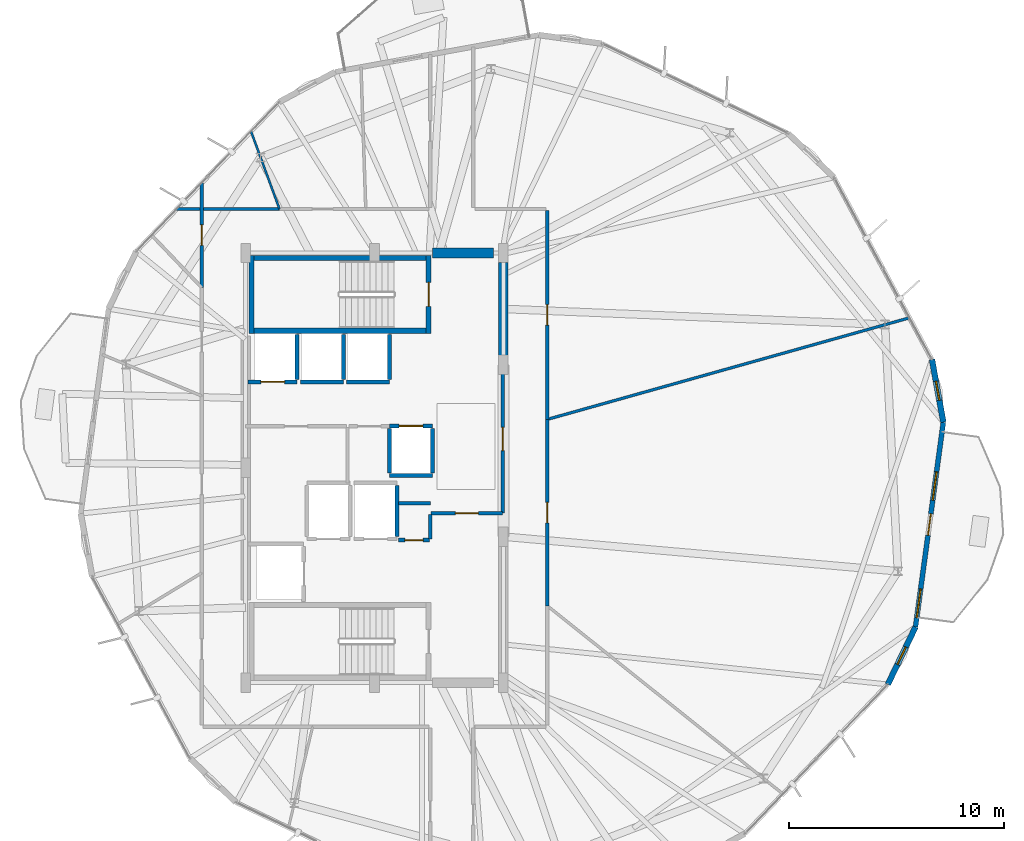
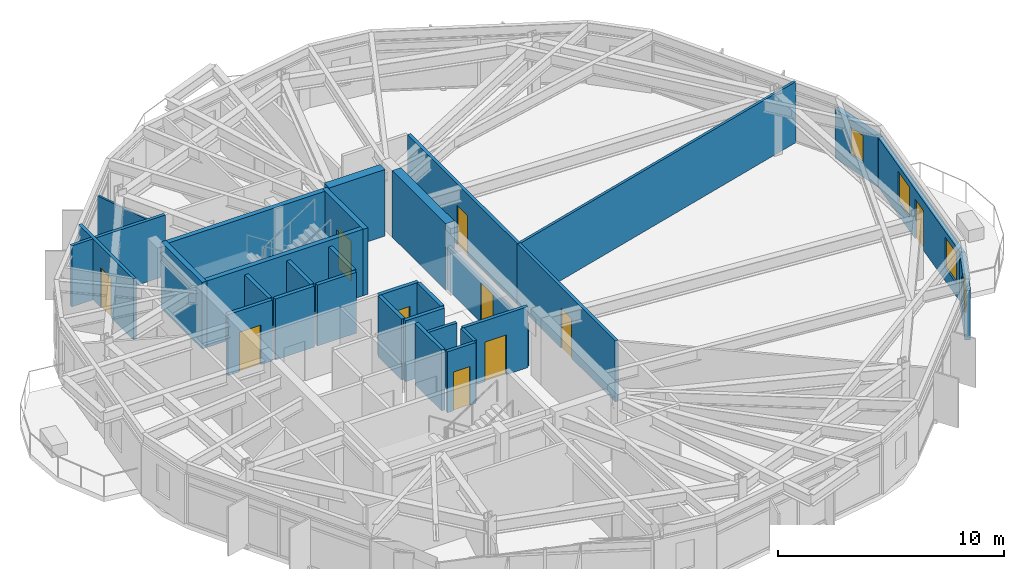
# One storey, part 23 of 27: 31 walls, 10 doors, 4 windows, 14 openings.
"""IFC4 building model written with IfcOpenShell, lengths in metres."""

from ifc_helpers import new_model, si_unit, direction, frame, frame_2d, origin, place, context, subcontext, project, spatial, rectangle, extrude, material, layer, layer_set, type_object, element, fill, save


model = new_model("IFC4")

# Units and contexts
model_context = context("Model", 3, precision=1e-05, world=origin(), true_north=direction((0.0, 1.0)))
body_context = subcontext(model_context, "Body", "Model", "MODEL_VIEW")
ifc_project = project(units=[si_unit("LENGTHUNIT", "METRE"), si_unit("AREAUNIT", "SQUARE_METRE"), si_unit("VOLUMEUNIT", "CUBIC_METRE"), si_unit("PLANEANGLEUNIT", "RADIAN"), si_unit("MASSUNIT", "GRAM", prefix="KILO")], contexts=[model_context])

# Site, building, storey
site_placement = place(None, origin())
site = spatial("IfcSite", under=ifc_project, at=site_placement, CompositionType="ELEMENT")
building_placement = place(site_placement, origin())
building = spatial("IfcBuilding", under=site, at=building_placement, Name="Soratama Intermodal Tower", CompositionType="ELEMENT")
storey_placement = place(building_placement, frame((0.0, 0.0, 208.60009765625)))
storey = spatial("IfcBuildingStorey", under=building, at=storey_placement, Name="L52", CompositionType="ELEMENT", Elevation=208.60009765625)

# Wall, openings, door, windows
ifc_material_1 = material(Name="Concrete f'c 42 MPa", Category="concrete")
ifc_layer_1 = layer(ifc_material_1, 0.22998046875)
ifc_layer_set_1 = layer_set([ifc_layer_1], Name="Concrete f'c 42 MPa")
wall_type_1 = type_object("IfcWallType", Name="EW-BAL-230", PredefinedType="SOLIDWALL", material=ifc_layer_set_1)
wall_1_placement = place(storey_placement, frame((63.783203125, 17.5908203125, 0.0), z_axis=(0.0, 0.0, 1.0), x_axis=(0.134677360418, 0.990889503724, 0.0)))
wall_1 = element("IfcWall", 1, at=wall_1_placement, inside=storey, type_object=wall_type_1, Name="L52 Terrace Wall F09", PredefinedType="SOLIDWALL", context=body_context, shape_type="SweptSolid", body=[
    extrude(rectangle(XDim=9.6240234375, YDim=0.22998046875, at=frame_2d((4.81201171875, 0.0))), origin(), (0.0, 0.0, 1.0), 2.678955078125),
])
opening_1_placement = place(wall_1_placement, frame((4.31201171875, 0.0, 0.0)))
opening_1 = element("IfcOpeningElement", 2, at=opening_1_placement, cuts=wall_1, Name="Opening ED-2", PredefinedType="OPENING", context=body_context, shape_type="SweptSolid", body=[
    extrude(rectangle(XDim=1.0, YDim=2.14990234375, at=frame_2d((0.5, 1.074951171875))), frame((0.0, 0.125, 0.0), z_axis=(0.0, -1.0, 0.0), x_axis=(1.0, 0.0, 0.0)), (0.0, 0.0, 1.0), 0.25),
])
opening_2_placement = place(wall_1_placement, frame((0.43994140625, 0.0, 0.719970703125)))
opening_2 = element("IfcOpeningElement", 3, at=opening_2_placement, cuts=wall_1, Name="Opening WN-4", PredefinedType="OPENING", context=body_context, shape_type="SweptSolid", body=[
    extrude(rectangle(XDim=1.35009765625, YDim=1.64990234375, at=frame_2d((0.675048828125, 0.824951171875))), frame((0.0, 0.125, 0.0), z_axis=(0.0, -1.0, 0.0), x_axis=(1.0, 0.0, 0.0)), (0.0, 0.0, 1.0), 0.25),
])
opening_3_placement = place(wall_1_placement, frame((5.951904296875, 0.0, 0.719970703125)))
opening_3 = element("IfcOpeningElement", 4, at=opening_3_placement, cuts=wall_1, Name="Opening WN-4", PredefinedType="OPENING", context=body_context, shape_type="SweptSolid", body=[
    extrude(rectangle(XDim=1.35009765625, YDim=1.64990234375, at=frame_2d((0.675048828125, 0.824951171875))), frame((0.0, 0.125, 0.0), z_axis=(0.0, -1.0, 0.0), x_axis=(1.0, 0.0, 0.0)), (0.0, 0.0, 1.0), 0.25),
])
ifc_material_2 = material(Name="Double-glazed aluminium door", Category="aluminium")
door_type_1 = type_object("IfcDoorType", Name="DR-BAL-1000", OperationType="NOTDEFINED", PredefinedType="DOOR", material=ifc_material_2)
door_1_placement = place(opening_1_placement, origin())
door_1 = element("IfcDoor", 5, at=door_1_placement, inside=storey, type_object=door_type_1, Name="L52 Balcony Door F09", OperationType="SINGLE_SWING_LEFT", OverallHeight=2.14990234375, OverallWidth=1.0, PredefinedType="DOOR", context=body_context, shape_type="SweptSolid", body=[
    extrude(rectangle(XDim=1.0, YDim=2.14990234375, at=frame_2d((0.5, 1.074951171875))), frame((0.0, 0.02490234375, 0.0), z_axis=(0.0, -1.0, 0.0), x_axis=(1.0, 0.0, 0.0)), (0.0, 0.0, 1.0), 0.050048828125),
])
fill(opening_1, door_1)
ifc_material_3 = material(Name="Double-glazed aluminium window", Category="aluminium")
window_type_1 = type_object("IfcWindowType", Name="WN-FAC-1350", PartitioningType="SINGLE_PANEL", PredefinedType="WINDOW", material=ifc_material_3)
window_1_placement = place(opening_2_placement, origin())
window_1 = element("IfcWindow", 6, at=window_1_placement, inside=storey, type_object=window_type_1, Name="L52 Window A F09", OverallHeight=1.64990234375, OverallWidth=1.35009765625, PartitioningType="SINGLE_PANEL", PredefinedType="WINDOW", context=body_context, shape_type="SweptSolid", body=[
    extrude(rectangle(XDim=1.35009765625, YDim=1.64990234375, at=frame_2d((0.675048828125, 0.824951171875))), frame((0.0, 0.030029296875, 0.0), z_axis=(0.0, -1.0, 0.0), x_axis=(1.0, 0.0, 0.0)), (0.0, 0.0, 1.0), 0.06005859375),
])
fill(opening_2, window_1)
window_2_placement = place(opening_3_placement, origin())
window_2 = element("IfcWindow", 7, at=window_2_placement, inside=storey, type_object=window_type_1, Name="L52 Window B F09", OverallHeight=1.64990234375, OverallWidth=1.35009765625, PartitioningType="SINGLE_PANEL", PredefinedType="WINDOW", context=body_context, shape_type="SweptSolid", body=[
    extrude(rectangle(XDim=1.35009765625, YDim=1.64990234375, at=frame_2d((0.675048828125, 0.824951171875))), frame((0.0, 0.030029296875, 0.0), z_axis=(0.0, -1.0, 0.0), x_axis=(1.0, 0.0, 0.0)), (0.0, 0.0, 1.0), 0.06005859375),
])
fill(opening_3, window_2)

# Wall, opening, window
ifc_material_4 = material(Name="Concrete f'c 42 MPa", Category="concrete")
ifc_layer_2 = layer(ifc_material_4, 0.27001953125)
ifc_layer_set_2 = layer_set([ifc_layer_2], Name="Concrete f'c 42 MPa")
wall_type_2 = type_object("IfcWallType", Name="EW-CRN-270", PredefinedType="SOLIDWALL", material=ifc_layer_set_2)
wall_2_placement = place(storey_placement, frame((62.494873046875, 14.918701171875, 0.0), z_axis=(0.0, 0.0, 1.0), x_axis=(0.434295608334, 0.900770406142, 0.0)))
wall_2 = element("IfcWall", 8, at=wall_2_placement, inside=storey, type_object=wall_type_2, Name="L52 Corner Closure Wall 08", PredefinedType="SOLIDWALL", context=body_context, shape_type="SweptSolid", body=[
    extrude(rectangle(XDim=2.966552734375, YDim=0.27001953125, at=frame_2d((1.4833984375, 0.0))), origin(), (0.0, 0.0, 1.0), 2.678955078125),
])
opening_4_placement = place(wall_2_placement, frame((1.033203125, 0.0, 0.75)))
opening_4 = element("IfcOpeningElement", 9, at=opening_4_placement, cuts=wall_2, Name="Opening WN-6", PredefinedType="OPENING", context=body_context, shape_type="SweptSolid", body=[
    extrude(rectangle(XDim=0.89990234375, YDim=1.5, at=frame_2d((0.449951171875, 0.75))), frame((0.0, 0.14501953125, 0.0), z_axis=(0.0, -1.0, 0.0), x_axis=(1.0, 0.0, 0.0)), (0.0, 0.0, 1.0), 0.2900390625),
])
ifc_material_5 = material(Name="Double-glazed aluminium window", Category="aluminium")
window_type_2 = type_object("IfcWindowType", Name="WN-FAC-900", PartitioningType="SINGLE_PANEL", PredefinedType="WINDOW", material=ifc_material_5)
window_3_placement = place(opening_4_placement, origin())
window_3 = element("IfcWindow", 10, at=window_3_placement, inside=storey, type_object=window_type_2, Name="L52 Corner Window 08", OverallHeight=1.5, OverallWidth=0.89990234375, PartitioningType="SINGLE_PANEL", PredefinedType="WINDOW", context=body_context, shape_type="SweptSolid", body=[
    extrude(rectangle(XDim=0.89990234375, YDim=1.5, at=frame_2d((0.449951171875, 0.75))), frame((0.0, 0.030029296875, 0.0), z_axis=(0.0, -1.0, 0.0), x_axis=(1.0, 0.0, 0.0)), (0.0, 0.0, 1.0), 0.06005859375),
])
fill(opening_4, window_3)

wall_3_placement = place(storey_placement, frame((65.079345703125, 27.127197265625, 0.0), z_axis=(0.0, 0.0, 1.0), x_axis=(-0.178088753346, 0.984014428721, 0.0)))
wall_3 = element("IfcWall", 11, at=wall_3_placement, inside=storey, type_object=wall_type_2, Name="L52 Corner Closure Wall 09", PredefinedType="SOLIDWALL", context=body_context, shape_type="SweptSolid", body=[
    extrude(rectangle(XDim=2.966552734375, YDim=0.27001953125, at=frame_2d((1.4833984375, 0.0))), origin(), (0.0, 0.0, 1.0), 2.678955078125),
])
opening_5_placement = place(wall_3_placement, frame((1.033203125, 0.0, 0.75)))
opening_5 = element("IfcOpeningElement", 12, at=opening_5_placement, cuts=wall_3, Name="Opening WN-6", PredefinedType="OPENING", context=body_context, shape_type="SweptSolid", body=[
    extrude(rectangle(XDim=0.89990234375, YDim=1.5, at=frame_2d((0.449951171875, 0.75))), frame((0.0, 0.14501953125, 0.0), z_axis=(0.0, -1.0, 0.0), x_axis=(1.0, 0.0, 0.0)), (0.0, 0.0, 1.0), 0.2900390625),
])
window_4_placement = place(opening_5_placement, origin())
window_4 = element("IfcWindow", 13, at=window_4_placement, inside=storey, type_object=window_type_2, Name="L52 Corner Window 09", OverallHeight=1.5, OverallWidth=0.89990234375, PartitioningType="SINGLE_PANEL", PredefinedType="WINDOW", context=body_context, shape_type="SweptSolid", body=[
    extrude(rectangle(XDim=0.89990234375, YDim=1.5, at=frame_2d((0.449951171875, 0.75))), frame((0.0, 0.030029296875, 0.0), z_axis=(0.0, -1.0, 0.0), x_axis=(1.0, 0.0, 0.0)), (0.0, 0.0, 1.0), 0.06005859375),
])
fill(opening_5, window_4)

# Wall, opening, door
ifc_material_6 = material(Name="Fire-rated gypsum stud partition", Category="concrete")
ifc_layer_3 = layer(ifc_material_6, 0.159912109375)
ifc_layer_set_3 = layer_set([ifc_layer_3], Name="Fire-rated gypsum stud partition")
wall_type_3 = type_object("IfcWallType", Name="IW-PART-R160", PredefinedType="PARTITIONING", material=ifc_layer_set_3)
wall_4_placement = place(storey_placement, frame((46.64990234375, 36.97998046875, 0.0), z_axis=(0.0, 0.0, 1.0), x_axis=(0.0, -1.0, 0.0)))
wall_4 = element("IfcWall", 14, at=wall_4_placement, inside=storey, type_object=wall_type_3, Name="L52 Partition W-L52-TP003", PredefinedType="PARTITIONING", context=body_context, shape_type="SweptSolid", body=[
    extrude(rectangle(XDim=9.721923828125, YDim=0.159912109375, at=frame_2d((4.86083984375, 0.0))), origin(), (0.0, 0.0, 1.0), 3.2998046875),
])
opening_6_placement = place(wall_4_placement, frame((4.385986328125, 0.0, 0.0)))
opening_6 = element("IfcOpeningElement", 15, at=opening_6_placement, cuts=wall_4, Name="Opening ID-3", PredefinedType="OPENING", context=body_context, shape_type="SweptSolid", body=[
    extrude(rectangle(XDim=0.949951171875, YDim=2.14990234375, at=frame_2d((0.47509765625, 1.074951171875))), frame((0.0, 0.08984375, 0.0), z_axis=(0.0, -1.0, 0.0), x_axis=(1.0, 0.0, 0.0)), (0.0, 0.0, 1.0), 0.179931640625),
])
ifc_material_7 = material(Name="Solid hardwood acoustic door", Category="wood")
door_type_2 = type_object("IfcDoorType", Name="DR-ROOM-950", OperationType="NOTDEFINED", PredefinedType="DOOR", material=ifc_material_7)
door_2_placement = place(opening_6_placement, origin())
door_2 = element("IfcDoor", 16, at=door_2_placement, inside=storey, type_object=door_type_2, Name="L52 Door D-L52-TP001", OperationType="SINGLE_SWING_RIGHT", OverallHeight=2.14990234375, OverallWidth=0.949951171875, PredefinedType="DOOR", context=body_context, shape_type="SweptSolid", body=[
    extrude(rectangle(XDim=0.949951171875, YDim=2.14990234375, at=frame_2d((0.47509765625, 1.074951171875))), frame((0.0, 0.02490234375, 0.0), z_axis=(0.0, -1.0, 0.0), x_axis=(1.0, 0.0, 0.0)), (0.0, 0.0, 1.0), 0.050048828125),
])
fill(opening_6, door_2)

wall_5_placement = place(storey_placement, frame((46.64990234375, 27.258056640625, 0.0), z_axis=(0.0, 0.0, 1.0), x_axis=(0.0, -1.0, 0.0)))
wall_5 = element("IfcWall", 17, at=wall_5_placement, inside=storey, type_object=wall_type_3, Name="L52 Partition W-L52-TP004", PredefinedType="PARTITIONING", context=body_context, shape_type="SweptSolid", body=[
    extrude(rectangle(XDim=8.68505859375, YDim=0.159912109375, at=frame_2d((4.342529296875, 0.0))), origin(), (0.0, 0.0, 1.0), 3.2998046875),
])
opening_7_placement = place(wall_5_placement, frame((3.866943359375, 0.0, 0.0)))
opening_7 = element("IfcOpeningElement", 18, at=opening_7_placement, cuts=wall_5, Name="Opening ID-3", PredefinedType="OPENING", context=body_context, shape_type="SweptSolid", body=[
    extrude(rectangle(XDim=0.949951171875, YDim=2.14990234375, at=frame_2d((0.47509765625, 1.074951171875))), frame((0.0, 0.08984375, 0.0), z_axis=(0.0, -1.0, 0.0), x_axis=(1.0, 0.0, 0.0)), (0.0, 0.0, 1.0), 0.179931640625),
])
door_3_placement = place(opening_7_placement, origin())
door_3 = element("IfcDoor", 19, at=door_3_placement, inside=storey, type_object=door_type_2, Name="L52 Door D-L52-TP002", OperationType="SINGLE_SWING_LEFT", OverallHeight=2.14990234375, OverallWidth=0.949951171875, PredefinedType="DOOR", context=body_context, shape_type="SweptSolid", body=[
    extrude(rectangle(XDim=0.949951171875, YDim=2.14990234375, at=frame_2d((0.47509765625, 1.074951171875))), frame((0.0, 0.02490234375, 0.0), z_axis=(0.0, -1.0, 0.0), x_axis=(1.0, 0.0, 0.0)), (0.0, 0.0, 1.0), 0.050048828125),
])
fill(opening_7, door_3)

wall_6_placement = place(storey_placement, frame((44.56005859375, 29.800048828125, 0.0), z_axis=(0.0, 0.0, 1.0), x_axis=(0.0, -1.0, 0.0)))
wall_6 = element("IfcWall", 20, at=wall_6_placement, inside=storey, type_object=wall_type_3, Name="L52 Partition W-L52-TP011", PredefinedType="PARTITIONING", context=body_context, shape_type="SweptSolid", body=[
    extrude(rectangle(XDim=6.91015625, YDim=0.159912109375, at=frame_2d((3.455078125, 0.0))), origin(), (0.0, 0.0, 1.0), 2.33984375),
])
opening_8_placement = place(wall_6_placement, frame((2.9150390625, 0.0, 0.0)))
opening_8 = element("IfcOpeningElement", 21, at=opening_8_placement, cuts=wall_6, Name="Opening ID-1", PredefinedType="OPENING", context=body_context, shape_type="SweptSolid", body=[
    extrude(rectangle(XDim=1.080078125, YDim=2.14990234375, at=frame_2d((0.5400390625, 1.074951171875))), frame((0.0, 0.08984375, 0.0), z_axis=(0.0, -1.0, 0.0), x_axis=(1.0, 0.0, 0.0)), (0.0, 0.0, 1.0), 0.179931640625),
])
ifc_material_8 = material(Name="Solid hardwood acoustic door", Category="wood")
door_type_3 = type_object("IfcDoorType", Name="DR-LOB-FD60", OperationType="NOTDEFINED", PredefinedType="DOOR", material=ifc_material_8)
door_4_placement = place(opening_8_placement, origin())
door_4 = element("IfcDoor", 22, at=door_4_placement, inside=storey, type_object=door_type_3, Name="L52 Door D-L52-TP008", OperationType="SINGLE_SWING_LEFT", OverallHeight=2.14990234375, OverallWidth=1.080078125, PredefinedType="DOOR", context=body_context, shape_type="SweptSolid", body=[
    extrude(rectangle(XDim=1.080078125, YDim=2.14990234375, at=frame_2d((0.5400390625, 1.074951171875))), frame((0.0, 0.02490234375, 0.0), z_axis=(0.0, -1.0, 0.0), x_axis=(1.0, 0.0, 0.0)), (0.0, 0.0, 1.0), 0.050048828125),
])
fill(opening_8, door_4)

wall_7_placement = place(storey_placement, frame((30.550048828125, 33.40087890625, 0.0), z_axis=(0.0, 0.0, 1.0), x_axis=(0.0, 1.0, 0.0)))
wall_7 = element("IfcWall", 23, at=wall_7_placement, inside=storey, type_object=wall_type_3, Name="L52 Partition W-L52-TP018", PredefinedType="PARTITIONING", context=body_context, shape_type="SweptSolid", body=[
    extrude(rectangle(XDim=4.862060546875, YDim=0.159912109375, at=frame_2d((2.43115234375, 0.0))), origin(), (0.0, 0.0, 1.0), 3.2998046875),
])
opening_9_placement = place(wall_7_placement, frame((1.9560546875, 0.0, 0.0)))
opening_9 = element("IfcOpeningElement", 24, at=opening_9_placement, cuts=wall_7, Name="Opening ID-3", PredefinedType="OPENING", context=body_context, shape_type="SweptSolid", body=[
    extrude(rectangle(XDim=0.949951171875, YDim=2.14990234375, at=frame_2d((0.47509765625, 1.074951171875))), frame((0.0, 0.08984375, 0.0), z_axis=(0.0, -1.0, 0.0), x_axis=(1.0, 0.0, 0.0)), (0.0, 0.0, 1.0), 0.179931640625),
])
door_5_placement = place(opening_9_placement, origin())
door_5 = element("IfcDoor", 25, at=door_5_placement, inside=storey, type_object=door_type_2, Name="L52 Door D-L52-TP010", OperationType="SINGLE_SWING_LEFT", OverallHeight=2.14990234375, OverallWidth=0.949951171875, PredefinedType="DOOR", context=body_context, shape_type="SweptSolid", body=[
    extrude(rectangle(XDim=0.949951171875, YDim=2.14990234375, at=frame_2d((0.47509765625, 1.074951171875))), frame((0.0, 0.02490234375, 0.0), z_axis=(0.0, -1.0, 0.0), x_axis=(1.0, 0.0, 0.0)), (0.0, 0.0, 1.0), 0.050048828125),
])
fill(opening_9, door_5)

# Walls
wall_8_placement = place(storey_placement, frame((29.388916015625, 37.050048828125, 0.0), z_axis=(0.0, 0.0, 1.0), x_axis=(1.0, 0.0, 0.0)))
element("IfcWall", 26, at=wall_8_placement, inside=storey, type_object=wall_type_3, Name="L52 Partition W-L52-TP020", PredefinedType="PARTITIONING", context=body_context, shape_type="SweptSolid", body=[
    extrude(rectangle(XDim=4.7880859375, YDim=0.159912109375, at=frame_2d((2.39404296875, 0.0))), origin(), (0.0, 0.0, 1.0), 3.2998046875),
])
wall_9_placement = place(storey_placement, frame((41.199951171875, 23.360107421875, 0.0), z_axis=(0.0, 0.0, 1.0), x_axis=(-1.0, 0.0, 0.0)))
element("IfcWall", 27, at=wall_9_placement, inside=storey, type_object=wall_type_3, Name="L52 Partition W-L52-TP034", PredefinedType="PARTITIONING", context=body_context, shape_type="SweptSolid", body=[
    extrude(rectangle(XDim=1.47998046875, YDim=0.159912109375, at=frame_2d((0.739990234375, 0.0))), origin(), (0.0, 0.0, 1.0), 3.2998046875),
])

# Wall, opening, door
ifc_material_9 = material(Name="Fire-rated gypsum stud partition", Category="concrete")
ifc_layer_4 = layer(ifc_material_9, 0.169921875)
ifc_layer_set_4 = layer_set([ifc_layer_4], Name="Fire-rated gypsum stud partition")
wall_type_4 = type_object("IfcWallType", Name="IW-PART-R170", PredefinedType="PARTITIONING", material=ifc_layer_set_4)
wall_10_placement = place(storey_placement, frame((41.239990234375, 22.889892578125, 0.0), z_axis=(0.0, 0.0, 1.0), x_axis=(1.0, 0.0, 0.0)))
wall_10 = element("IfcWall", 28, at=wall_10_placement, inside=storey, type_object=wall_type_4, Name="L52 Partition W-L52-TP026", PredefinedType="PARTITIONING", context=body_context, shape_type="SweptSolid", body=[
    extrude(rectangle(XDim=3.320068359375, YDim=0.169921875, at=frame_2d((1.66015625, 0.0))), origin(), (0.0, 0.0, 1.0), 3.2998046875),
])
opening_10_placement = place(wall_10_placement, frame((1.1201171875, 0.0, 0.0)))
opening_10 = element("IfcOpeningElement", 29, at=opening_10_placement, cuts=wall_10, Name="Opening ID-0", PredefinedType="OPENING", context=body_context, shape_type="SweptSolid", body=[
    extrude(rectangle(XDim=1.080078125, YDim=2.14990234375, at=frame_2d((0.5400390625, 1.074951171875))), frame((0.0, 0.094970703125, 0.0), z_axis=(0.0, -1.0, 0.0), x_axis=(1.0, 0.0, 0.0)), (0.0, 0.0, 1.0), 0.18994140625),
])
ifc_material_10 = material(Name="Solid hardwood acoustic door", Category="wood")
door_type_4 = type_object("IfcDoorType", Name="DR-LOB-FD90", OperationType="NOTDEFINED", PredefinedType="DOOR", material=ifc_material_10)
door_6_placement = place(opening_10_placement, origin())
door_6 = element("IfcDoor", 30, at=door_6_placement, inside=storey, type_object=door_type_4, Name="L52 Door D-L52-TP013", OperationType="SINGLE_SWING_RIGHT", OverallHeight=2.14990234375, OverallWidth=1.080078125, PredefinedType="DOOR", context=body_context, shape_type="SweptSolid", body=[
    extrude(rectangle(XDim=1.080078125, YDim=2.14990234375, at=frame_2d((0.5400390625, 1.074951171875))), frame((0.0, 0.02490234375, 0.0), z_axis=(0.0, -1.0, 0.0), x_axis=(1.0, 0.0, 0.0)), (0.0, 0.0, 1.0), 0.050048828125),
])
fill(opening_10, door_6)

wall_11_placement = place(storey_placement, frame((39.719970703125, 21.639892578125, 0.0), z_axis=(0.0, 0.0, 1.0), x_axis=(1.0, 0.0, 0.0)))
wall_11 = element("IfcWall", 31, at=wall_11_placement, inside=storey, type_object=wall_type_4, Name="L52 Partition W-L52-TP032", PredefinedType="PARTITIONING", context=body_context, shape_type="SweptSolid", body=[
    extrude(rectangle(XDim=1.43994140625, YDim=0.169921875, at=frame_2d((0.719970703125, 0.0))), origin(), (0.0, 0.0, 1.0), 3.2998046875),
])
opening_11_placement = place(wall_11_placement, frame((0.294921875, 0.0, 0.0)))
opening_11 = element("IfcOpeningElement", 32, at=opening_11_placement, cuts=wall_11, Name="Opening ID-4", PredefinedType="OPENING", context=body_context, shape_type="SweptSolid", body=[
    extrude(rectangle(XDim=0.85009765625, YDim=2.10009765625, at=frame_2d((0.425048828125, 1.050048828125))), frame((0.0, 0.094970703125, 0.0), z_axis=(0.0, -1.0, 0.0), x_axis=(1.0, 0.0, 0.0)), (0.0, 0.0, 1.0), 0.18994140625),
])
ifc_material_11 = material(Name="Solid hardwood acoustic door", Category="wood")
door_type_5 = type_object("IfcDoorType", Name="DR-BATH-850", OperationType="NOTDEFINED", PredefinedType="DOOR", material=ifc_material_11)
door_7_placement = place(opening_11_placement, origin())
door_7 = element("IfcDoor", 33, at=door_7_placement, inside=storey, type_object=door_type_5, Name="L52 Door D-L52-TP015", OperationType="SINGLE_SWING_RIGHT", OverallHeight=2.10009765625, OverallWidth=0.85009765625, PredefinedType="DOOR", context=body_context, shape_type="SweptSolid", body=[
    extrude(rectangle(XDim=0.85009765625, YDim=2.10009765625, at=frame_2d((0.425048828125, 1.050048828125))), frame((0.0, 0.02490234375, 0.0), z_axis=(0.0, -1.0, 0.0), x_axis=(1.0, 0.0, 0.0)), (0.0, 0.0, 1.0), 0.050048828125),
])
fill(opening_11, door_7)

# Walls
wall_12_placement = place(storey_placement, frame((41.199951171875, 21.699951171875, 0.0), z_axis=(0.0, 0.0, 1.0), x_axis=(0.0, 1.0, 0.0)))
element("IfcWall", 34, at=wall_12_placement, inside=storey, type_object=wall_type_4, Name="L52 Partition W-L52-TP033", PredefinedType="PARTITIONING", context=body_context, shape_type="SweptSolid", body=[
    extrude(rectangle(XDim=1.1201171875, YDim=0.169921875, at=frame_2d((0.56005859375, 0.0))), origin(), (0.0, 0.0, 1.0), 3.2998046875),
])
ifc_material_12 = material(Name="Fire-rated gypsum stud partition", Category="concrete")
ifc_layer_5 = layer(ifc_material_12, 0.10009765625)
ifc_layer_set_5 = layer_set([ifc_layer_5], Name="Fire-rated gypsum stud partition")
wall_type_5 = type_object("IfcWallType", Name="IW-PART-S100", PredefinedType="PARTITIONING", material=ifc_layer_set_5)
wall_13_placement = place(storey_placement, frame((34.177001953125, 37.050048828125, 0.0), z_axis=(0.0, 0.0, 1.0), x_axis=(-0.344412912705, 0.938818270786, 0.0)))
element("IfcWall", 35, at=wall_13_placement, inside=storey, type_object=wall_type_5, Name="L52 Partition W-L52-TP024", PredefinedType="PARTITIONING", context=body_context, shape_type="SweptSolid", body=[
    extrude(rectangle(XDim=3.8525390625, YDim=0.10009765625, at=frame_2d((1.92626953125, 0.0))), origin(), (0.0, 0.0, 1.0), 2.594970703125),
])
ifc_material_13 = material(Name="Fire-rated gypsum stud partition", Category="concrete")
ifc_layer_6 = layer(ifc_material_13, 0.1298828125)
ifc_layer_set_6 = layer_set([ifc_layer_6], Name="Fire-rated gypsum stud partition")
wall_type_6 = type_object("IfcWallType", Name="IW-PART-S130", PredefinedType="PARTITIONING", material=ifc_layer_set_6)
wall_14_placement = place(storey_placement, frame((63.508056640625, 31.986083984375, 0.0), z_axis=(0.0, 0.0, 1.0), x_axis=(-0.962849090676, -0.270040049964, 0.0)))
element("IfcWall", 36, at=wall_14_placement, inside=storey, type_object=wall_type_6, Name="L52 Partition W-L52-TP001", PredefinedType="PARTITIONING", context=body_context, shape_type="SweptSolid", body=[
    extrude(rectangle(XDim=17.508544921875, YDim=0.1298828125, at=frame_2d((8.75439453125, 0.0))), origin(), (0.0, 0.0, 1.0), 3.2998046875),
])
ifc_material_14 = material(Name="Concrete f'c 42 MPa", Category="concrete")
ifc_layer_7 = layer(ifc_material_14, 0.18505859375)
ifc_layer_set_7 = layer_set([ifc_layer_7], Name="Concrete f'c 42 MPa")
wall_type_7 = type_object("IfcWallType", Name="IW-SHAFT-185", PredefinedType="SOLIDWALL", material=ifc_layer_set_7)
wall_15_placement = place(storey_placement, frame((39.64990234375, 21.81005859375, 0.0), z_axis=(0.0, 0.0, 1.0), x_axis=(0.0, 1.0, 0.0)))
element("IfcWall", 37, at=wall_15_placement, inside=storey, type_object=wall_type_7, Name="L52 FFL-2 Hoistway Wall E", PredefinedType="SOLIDWALL", context=body_context, shape_type="SweptSolid", body=[
    extrude(rectangle(XDim=2.3798828125, YDim=0.18505859375, at=frame_2d((1.18994140625, 0.0))), origin(), (0.0, 0.0, 1.0), 3.2998046875),
])
wall_16_placement = place(storey_placement, frame((39.300048828125, 24.64990234375, 0.0), z_axis=(0.0, 0.0, 1.0), x_axis=(1.0, 0.0, 0.0)))
element("IfcWall", 38, at=wall_16_placement, inside=storey, type_object=wall_type_7, Name="L52 PL-M1 Hoistway Wall S", PredefinedType="SOLIDWALL", context=body_context, shape_type="SweptSolid", body=[
    extrude(rectangle(XDim=2.0, YDim=0.18505859375, at=frame_2d((1.0, 0.0))), origin(), (0.0, 0.0, 1.0), 3.2998046875),
])

# Wall, opening, door
wall_17_placement = place(storey_placement, frame((39.300048828125, 26.949951171875, 0.0), z_axis=(0.0, 0.0, 1.0), x_axis=(1.0, 0.0, 0.0)))
wall_17 = element("IfcWall", 39, at=wall_17_placement, inside=storey, type_object=wall_type_7, Name="L52 PL-M1 Hoistway Wall N", PredefinedType="SOLIDWALL", context=body_context, shape_type="SweptSolid", body=[
    extrude(rectangle(XDim=2.0, YDim=0.18505859375, at=frame_2d((1.0, 0.0))), origin(), (0.0, 0.0, 1.0), 3.2998046875),
])
opening_12_placement = place(wall_17_placement, frame((0.449951171875, 0.0, 0.0)))
opening_12 = element("IfcOpeningElement", 40, at=opening_12_placement, cuts=wall_17, Name="Opening LD-1", PredefinedType="OPENING", context=body_context, shape_type="SweptSolid", body=[
    extrude(rectangle(XDim=1.10009765625, YDim=2.14990234375, at=frame_2d((0.550048828125, 1.074951171875))), frame((0.0, 0.1025390625, 0.0), z_axis=(0.0, -1.0, 0.0), x_axis=(1.0, 0.0, 0.0)), (0.0, 0.0, 1.0), 0.205078125),
])
ifc_material_15 = material(Name="Steel fire door", Category="steel")
door_type_6 = type_object("IfcDoorType", Name="DR-LIFT-SLIDE", OperationType="NOTDEFINED", PredefinedType="DOOR", material=ifc_material_15)
door_8_placement = place(opening_12_placement, origin())
door_8 = element("IfcDoor", 41, at=door_8_placement, inside=storey, type_object=door_type_6, Name="L52 PL-M1 Sliding Landing Door", OperationType="SLIDING_TO_LEFT", OverallHeight=2.14990234375, OverallWidth=1.10009765625, PredefinedType="DOOR", context=body_context, shape_type="SweptSolid", body=[
    extrude(rectangle(XDim=1.10009765625, YDim=2.14990234375, at=frame_2d((0.550048828125, 1.074951171875))), frame((0.0, 0.02490234375, 0.0), z_axis=(0.0, -1.0, 0.0), x_axis=(1.0, 0.0, 0.0)), (0.0, 0.0, 1.0), 0.050048828125),
])
fill(opening_12, door_8)

# Walls
for number, where, z_axis, x_axis, name in (
    (42, (39.300048828125, 24.760009765625, 0.0), (0.0, 0.0, 1.0), (0.0, 1.0, 0.0), "L52 PL-M1 Hoistway Wall W"),
    (43, (41.300048828125, 24.760009765625, 0.0), (0.0, 0.0, 1.0), (0.0, 1.0, 0.0), "L52 PL-M1 Hoistway Wall E"),
):
    element("IfcWall", number, at=place(storey_placement, frame(where, z_axis=z_axis, x_axis=x_axis)), inside=storey, type_object=wall_type_7, Name=name, PredefinedType="SOLIDWALL", context=body_context, shape_type="SweptSolid", body=[
        extrude(rectangle(XDim=2.080078125, YDim=0.18505859375, at=frame_2d((1.0400390625, 0.0))), origin(), (0.0, 0.0, 1.0), 3.2998046875),
    ])

# Wall, opening, door
wall_18_placement = place(storey_placement, frame((32.719970703125, 29.0, 0.0), z_axis=(0.0, 0.0, 1.0), x_axis=(1.0, 0.0, 0.0)))
wall_18 = element("IfcWall", 44, at=wall_18_placement, inside=storey, type_object=wall_type_7, Name="L52 PL-M2 Hoistway Wall S", PredefinedType="SOLIDWALL", context=body_context, shape_type="SweptSolid", body=[
    extrude(rectangle(XDim=2.280029296875, YDim=0.18505859375, at=frame_2d((1.14013671875, 0.0))), origin(), (0.0, 0.0, 1.0), 3.2998046875),
])
opening_13_placement = place(wall_18_placement, frame((0.590087890625, 0.0, 0.0)))
opening_13 = element("IfcOpeningElement", 45, at=opening_13_placement, cuts=wall_18, Name="Opening LD-1", PredefinedType="OPENING", context=body_context, shape_type="SweptSolid", body=[
    extrude(rectangle(XDim=1.10009765625, YDim=2.14990234375, at=frame_2d((0.550048828125, 1.074951171875))), frame((0.0, 0.1025390625, 0.0), z_axis=(0.0, -1.0, 0.0), x_axis=(1.0, 0.0, 0.0)), (0.0, 0.0, 1.0), 0.205078125),
])
door_9_placement = place(opening_13_placement, origin())
door_9 = element("IfcDoor", 46, at=door_9_placement, inside=storey, type_object=door_type_6, Name="L52 PL-M2 Sliding Landing Door", OperationType="SLIDING_TO_LEFT", OverallHeight=2.14990234375, OverallWidth=1.10009765625, PredefinedType="DOOR", context=body_context, shape_type="SweptSolid", body=[
    extrude(rectangle(XDim=1.10009765625, YDim=2.14990234375, at=frame_2d((0.550048828125, 1.074951171875))), frame((0.0, 0.02490234375, 0.0), z_axis=(0.0, -1.0, 0.0), x_axis=(1.0, 0.0, 0.0)), (0.0, 0.0, 1.0), 0.050048828125),
])
fill(opening_13, door_9)

# Walls
wall_19_placement = place(storey_placement, frame((35.0, 29.110107421875, 0.0), z_axis=(0.0, 0.0, 1.0), x_axis=(0.0, 1.0, 0.0)))
element("IfcWall", 47, at=wall_19_placement, inside=storey, type_object=wall_type_7, Name="L52 PL-M2 Hoistway Wall E", PredefinedType="SOLIDWALL", context=body_context, shape_type="SweptSolid", body=[
    extrude(rectangle(XDim=2.099853515625, YDim=0.18505859375, at=frame_2d((1.0498046875, 0.0))), origin(), (0.0, 0.0, 1.0), 3.2998046875),
])
wall_20_placement = place(storey_placement, frame((35.14990234375, 29.0, 0.0), z_axis=(0.0, 0.0, 1.0), x_axis=(1.0, 0.0, 0.0)))
element("IfcWall", 48, at=wall_20_placement, inside=storey, type_object=wall_type_7, Name="L52 PL-H1 Hoistway Wall S", PredefinedType="SOLIDWALL", context=body_context, shape_type="SweptSolid", body=[
    extrude(rectangle(XDim=2.0, YDim=0.18505859375, at=frame_2d((1.0, 0.0))), origin(), (0.0, 0.0, 1.0), 3.2998046875),
])
wall_21_placement = place(storey_placement, frame((37.14990234375, 29.110107421875, 0.0), z_axis=(0.0, 0.0, 1.0), x_axis=(0.0, 1.0, 0.0)))
element("IfcWall", 49, at=wall_21_placement, inside=storey, type_object=wall_type_7, Name="L52 PL-H1 Hoistway Wall E", PredefinedType="SOLIDWALL", context=body_context, shape_type="SweptSolid", body=[
    extrude(rectangle(XDim=2.099853515625, YDim=0.18505859375, at=frame_2d((1.0498046875, 0.0))), origin(), (0.0, 0.0, 1.0), 3.2998046875),
])
wall_22_placement = place(storey_placement, frame((37.300048828125, 29.0, 0.0), z_axis=(0.0, 0.0, 1.0), x_axis=(1.0, 0.0, 0.0)))
element("IfcWall", 50, at=wall_22_placement, inside=storey, type_object=wall_type_7, Name="L52 PL-H2 Hoistway Wall S", PredefinedType="SOLIDWALL", context=body_context, shape_type="SweptSolid", body=[
    extrude(rectangle(XDim=2.0, YDim=0.18505859375, at=frame_2d((1.0, 0.0))), origin(), (0.0, 0.0, 1.0), 3.2998046875),
])
wall_23_placement = place(storey_placement, frame((39.300048828125, 29.110107421875, 0.0), z_axis=(0.0, 0.0, 1.0), x_axis=(0.0, 1.0, 0.0)))
element("IfcWall", 51, at=wall_23_placement, inside=storey, type_object=wall_type_7, Name="L52 PL-H2 Hoistway Wall E", PredefinedType="SOLIDWALL", context=body_context, shape_type="SweptSolid", body=[
    extrude(rectangle(XDim=2.099853515625, YDim=0.18505859375, at=frame_2d((1.0498046875, 0.0))), origin(), (0.0, 0.0, 1.0), 3.2998046875),
])
ifc_material_16 = material(Name="Concrete f'c 56 MPa", Category="concrete")
ifc_layer_8 = layer(ifc_material_16, 0.449951171875)
ifc_layer_set_8 = layer_set([ifc_layer_8], Name="Concrete f'c 56 MPa")
wall_type_8 = type_object("IfcWallType", Name="SW-CORE-450", PredefinedType="SHEAR", material=ifc_layer_set_8)
wall_24_placement = place(storey_placement, frame((41.300048828125, 35.0, 0.0), z_axis=(0.0, 0.0, 1.0), x_axis=(1.0, 0.0, 0.0)))
element("IfcWall", 52, at=wall_24_placement, inside=storey, type_object=wall_type_8, Name="L52 Core Shear Wall CW-NE", PredefinedType="SHEAR", context=body_context, shape_type="SweptSolid", body=[
    extrude(rectangle(XDim=2.849853515625, YDim=0.449951171875, at=frame_2d((1.4248046875, 0.0))), origin(), (0.0, 0.0, 1.0), 3.599853515625),
])
wall_25_placement = place(storey_placement, frame((44.60009765625, 29.800048828125, 0.0), z_axis=(0.0, 0.0, 1.0), x_axis=(0.0, 1.0, 0.0)))
element("IfcWall", 53, at=wall_25_placement, inside=storey, type_object=wall_type_8, Name="L52 Core Shear Wall CW-EN", PredefinedType="SHEAR", context=body_context, shape_type="SweptSolid", body=[
    extrude(rectangle(XDim=4.75, YDim=0.449951171875, at=frame_2d((2.375, 0.0))), origin(), (0.0, 0.0, 1.0), 3.599853515625),
])
ifc_material_17 = material(Name="Concrete f'c 56 MPa", Category="concrete")
ifc_layer_9 = layer(ifc_material_17, 0.239990234375)
ifc_layer_set_9 = layer_set([ifc_layer_9], Name="Concrete f'c 56 MPa")
wall_type_9 = type_object("IfcWallType", Name="SW-STAIR-240", PredefinedType="SHEAR", material=ifc_layer_set_9)
wall_26_placement = place(storey_placement, frame((32.8798828125, 31.260009765625, 0.0), z_axis=(0.0, 0.0, 1.0), x_axis=(0.0, 1.0, 0.0)))
element("IfcWall", 54, at=wall_26_placement, inside=storey, type_object=wall_type_9, Name="L52 ST-2 Shaft Shear Wall W", PredefinedType="SHEAR", context=body_context, shape_type="SweptSolid", body=[
    extrude(rectangle(XDim=3.6298828125, YDim=0.239990234375, at=frame_2d((1.81494140625, 0.0))), origin(), (0.0, 0.0, 1.0), 3.599853515625),
])

# Wall, opening, door
wall_27_placement = place(storey_placement, frame((41.1201171875, 31.260009765625, 0.0), z_axis=(0.0, 0.0, 1.0), x_axis=(0.0, 1.0, 0.0)))
wall_27 = element("IfcWall", 55, at=wall_27_placement, inside=storey, type_object=wall_type_9, Name="L52 ST-2 Shaft Shear Wall E", PredefinedType="SHEAR", context=body_context, shape_type="SweptSolid", body=[
    extrude(rectangle(XDim=3.6298828125, YDim=0.239990234375, at=frame_2d((1.81494140625, 0.0))), origin(), (0.0, 0.0, 1.0), 3.599853515625),
])
opening_14_placement = place(wall_27_placement, frame((1.2548828125, 0.0, 0.0)))
opening_14 = element("IfcOpeningElement", 56, at=opening_14_placement, cuts=wall_27, Name="Opening SD-1", PredefinedType="OPENING", context=body_context, shape_type="SweptSolid", body=[
    extrude(rectangle(XDim=1.1201171875, YDim=2.14990234375, at=frame_2d((0.56005859375, 1.074951171875))), frame((0.0, 0.1298828125, 0.0), z_axis=(0.0, -1.0, 0.0), x_axis=(1.0, 0.0, 0.0)), (0.0, 0.0, 1.0), 0.260009765625),
])
ifc_material_18 = material(Name="Steel fire door", Category="steel")
door_type_7 = type_object("IfcDoorType", Name="DR-STAIR-FD90", OperationType="NOTDEFINED", PredefinedType="DOOR", material=ifc_material_18)
door_10_placement = place(opening_14_placement, origin())
door_10 = element("IfcDoor", 57, at=door_10_placement, inside=storey, type_object=door_type_7, Name="L52 ST-2 Exit Stair Door", OperationType="SINGLE_SWING_RIGHT", OverallHeight=2.14990234375, OverallWidth=1.1201171875, PredefinedType="DOOR", context=body_context, shape_type="SweptSolid", body=[
    extrude(rectangle(XDim=1.1201171875, YDim=2.14990234375, at=frame_2d((0.56005859375, 1.074951171875))), frame((0.0, 0.02490234375, 0.0), z_axis=(0.0, -1.0, 0.0), x_axis=(1.0, 0.0, 0.0)), (0.0, 0.0, 1.0), 0.050048828125),
])
fill(opening_14, door_10)

# Walls
for number, where, z_axis, x_axis, name in (
    (58, (33.0, 31.3798828125, 0.0), (0.0, 0.0, 1.0), (1.0, 0.0, 0.0), "L52 ST-2 Shaft Shear Wall S"),
    (59, (33.0, 34.77001953125, 0.0), (0.0, 0.0, 1.0), (1.0, 0.0, 0.0), "L52 ST-2 Shaft Shear Wall N"),
):
    element("IfcWall", number, at=place(storey_placement, frame(where, z_axis=z_axis, x_axis=x_axis)), inside=storey, type_object=wall_type_9, Name=name, PredefinedType="SHEAR", context=body_context, shape_type="SweptSolid", body=[
        extrude(rectangle(XDim=8.0, YDim=0.239990234375, at=frame_2d((4.0, 0.0))), origin(), (0.0, 0.0, 1.0), 3.599853515625),
    ])

save(model, "model.ifc")
